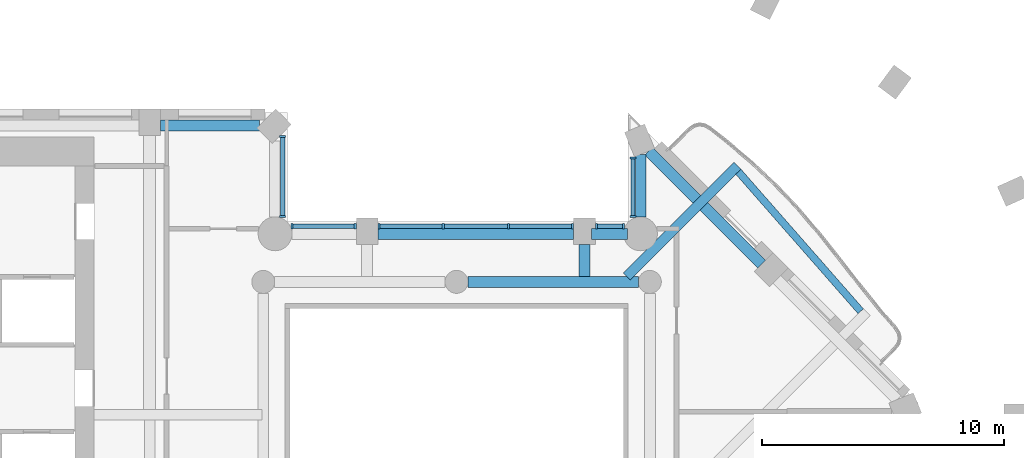
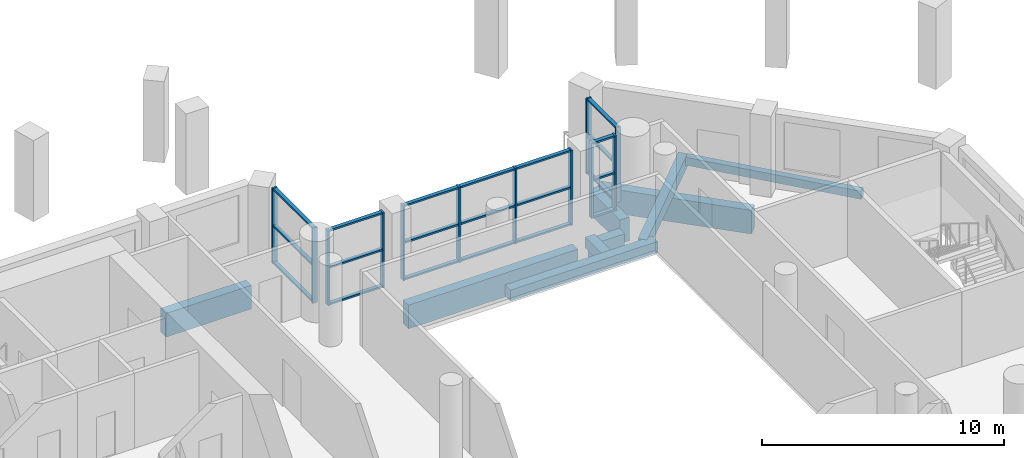
# One storey, part 2 of 14: 33 members, 9 beams, 5 elements without a shape of their own.
"""IFC4 building model written with IfcOpenShell, lengths in metres."""

from ifc_helpers import new_model, si_unit, direction, frame, origin, origin_2d, place, context, subcontext, project, spatial, rectangle, extrude, material, material_profile, profile_set, type_object, element, aggregate, save


model = new_model("IFC4")

# Units and contexts
model_context = context("Model", 3, precision=1e-05, world=origin(), true_north=direction((0.0, 1.0)))
body_context = subcontext(model_context, "Body", "Model", "MODEL_VIEW")
ifc_project = project(units=[si_unit("LENGTHUNIT", "METRE"), si_unit("AREAUNIT", "SQUARE_METRE"), si_unit("VOLUMEUNIT", "CUBIC_METRE"), si_unit("PLANEANGLEUNIT", "RADIAN"), si_unit("MASSUNIT", "GRAM", prefix="KILO")], contexts=[model_context])

# Site, building, storey
site_placement = place(None, origin())
site = spatial("IfcSite", under=ifc_project, at=site_placement, CompositionType="ELEMENT")
building_placement = place(site_placement, origin())
building = spatial("IfcBuilding", under=site, at=building_placement, Name="Cypress Arch Tower", CompositionType="ELEMENT")
storey_placement = place(building_placement, frame((0.0, 0.0, 185.10009765625)))
storey = spatial("IfcBuildingStorey", under=building, at=storey_placement, Name="L40", CompositionType="ELEMENT", Elevation=185.10009765625)

# Beams
ifc_material_1 = material(Name="Concrete C50/60", Category="concrete")
ifc_material_profile_1 = material_profile(ifc_material_1, rectangle(XDim=0.300048828125, YDim=0.39990234375, at=origin_2d()), Name="RC 300x400")
ifc_profile_set_1 = profile_set([ifc_material_profile_1], Name="Concrete C50/60")
beam_type_1 = type_object("IfcBeamType", Name="Balcony edge beam RC 300x400 Concrete C50/60", PredefinedType="BEAM", material=ifc_profile_set_1)
beam_1_placement = place(storey_placement, frame((17.72705078125, 8.78564453125, -0.5), z_axis=(-0.659406919269, 0.751786216168, 0.0), x_axis=(-0.751786216168, -0.659406919269, 0.0)))
element("IfcBeam", 1, at=beam_1_placement, inside=storey, type_object=beam_type_1, Name="Balcony edge beam L40 B05", PredefinedType="BEAM", context=body_context, shape_type="SweptSolid", body=[
    extrude(rectangle(XDim=0.300048828125, YDim=0.39990234375, at=origin_2d()), origin(), (0.0, 0.0, 1.0), 7.67724609375),
])
ifc_material_2 = material(Name="Concrete C50/60", Category="concrete")
ifc_material_profile_2 = material_profile(ifc_material_2, rectangle(XDim=0.39990234375, YDim=0.64990234375, at=origin_2d()), Name="RC 400x650")
ifc_profile_set_2 = profile_set([ifc_material_profile_2], Name="Concrete C50/60")
beam_type_2 = type_object("IfcBeamType", Name="Cantilever beam RC 400x650 Concrete C50/60", PredefinedType="BEAM", material=ifc_profile_set_2)
beam_2_placement = place(storey_placement, frame((8.04931640625, 10.22509765625, -0.625), z_axis=(0.707106781187, 0.707106781187, 0.0), x_axis=(-0.707106781187, 0.707106781187, 0.0)))
element("IfcBeam", 2, at=beam_2_placement, inside=storey, type_object=beam_type_2, Name="Cantilever beam L40 B05 2", PredefinedType="BEAM", context=body_context, shape_type="SweptSolid", body=[
    extrude(rectangle(XDim=0.39990234375, YDim=0.64990234375, at=origin_2d()), origin(), (0.0, 0.0, 1.0), 6.476806640625),
])
ifc_material_3 = material(Name="Concrete C50/60", Category="concrete")
ifc_material_profile_3 = material_profile(ifc_material_3, rectangle(XDim=0.449951171875, YDim=0.550048828125, at=origin_2d()), Name="RC 450x550")
ifc_profile_set_3 = profile_set([ifc_material_profile_3], Name="Concrete C50/60")
beam_type_3 = type_object("IfcBeamType", Name="Floor beam RC 450x550 Concrete C50/60", PredefinedType="BEAM", material=ifc_profile_set_3)
beam_3_placement = place(storey_placement, frame((1.47509765625, 10.0, -0.5751953125), z_axis=(1.0, 0.0, 0.0), x_axis=(0.0, 1.0, 0.0)))
element("IfcBeam", 3, at=beam_3_placement, inside=storey, type_object=beam_type_3, Name="Floor beam L40 RB008", PredefinedType="BEAM", context=body_context, shape_type="SweptSolid", body=[
    extrude(rectangle(XDim=0.449951171875, YDim=0.550048828125, at=origin_2d()), origin(), (0.0, 0.0, 1.0), 7.0498046875),
])
beam_4_placement = place(storey_placement, frame((6.300048828125, 10.22509765625, -0.5751953125), z_axis=(0.0, 1.0, 0.0), x_axis=(-1.0, 0.0, 0.0)))
element("IfcBeam", 4, at=beam_4_placement, inside=storey, type_object=beam_type_3, Name="Floor beam L40 FB017", PredefinedType="BEAM", context=body_context, shape_type="SweptSolid", body=[
    extrude(rectangle(XDim=0.449951171875, YDim=0.550048828125, at=origin_2d()), origin(), (0.0, 0.0, 1.0), 1.324951171875),
])

# Curtain wall, members
ifc_material_4 = material(Name="Anodised aluminium, bronze finish, clear laminated double glazing", Category="aluminium")
curtain_wall_type = type_object("IfcCurtainWallType", Name="Curtain wall CW7 slot glazing", PredefinedType="NOTDEFINED", material=ifc_material_4)
curtain_wall_1_placement = place(storey_placement, origin())
curtain_wall_1 = element("IfcCurtainWall", 5, at=curtain_wall_1_placement, inside=storey, type_object=curtain_wall_type, Name="Curtain wall L40 slot B06.0", PredefinedType="NOTDEFINED")
ifc_material_5 = material(Name="Anodised aluminium, bronze finish", Category="aluminium")
ifc_material_profile_4 = material_profile(ifc_material_5, rectangle(XDim=0.239990234375, YDim=0.0849609375, at=origin_2d()), Name="Mullion 85x240")
ifc_profile_set_4 = profile_set([ifc_material_profile_4], Name="Anodised aluminium, bronze finish")
member_type_1 = type_object("IfcMemberType", Name="Mullion CW7 85x240", PredefinedType="MULLION", material=ifc_profile_set_4)
member_1_placement = place(storey_placement, frame((8.300048828125, 15.12744140625, 0.0), z_axis=(0.0, 0.0, 1.0), x_axis=(1.0, 0.0, 0.0)))
member_1 = element("IfcMember", 6, at=member_1_placement, type_object=member_type_1, Name="CW7 mullion 1", PredefinedType="MULLION", context=body_context, shape_type="SweptSolid", body=[
    extrude(rectangle(XDim=0.239990234375, YDim=0.0849609375, at=origin_2d()), origin(), (0.0, 0.0, 1.0), 3.7998046875),
])
member_2_placement = place(storey_placement, frame((8.300048828125, 12.697021484375, 0.0), z_axis=(0.0, 0.0, 1.0), x_axis=(1.0, 0.0, 0.0)))
member_2 = element("IfcMember", 7, at=member_2_placement, type_object=member_type_1, Name="CW7 mullion 2", PredefinedType="MULLION", context=body_context, shape_type="SweptSolid", body=[
    extrude(rectangle(XDim=0.239990234375, YDim=0.0849609375, at=origin_2d()), origin(), (0.0, 0.0, 1.0), 3.7998046875),
])

curtain_wall_2_placement = place(storey_placement, origin())
curtain_wall_2 = element("IfcCurtainWall", 8, at=curtain_wall_2_placement, inside=storey, type_object=curtain_wall_type, Name="Curtain wall L40 slot B07.0", PredefinedType="NOTDEFINED")
member_3_placement = place(storey_placement, frame((7.903076171875, 12.300048828125, 0.0), z_axis=(0.0, 0.0, 1.0), x_axis=(0.0, -1.0, 0.0)))
member_3 = element("IfcMember", 9, at=member_3_placement, type_object=member_type_1, Name="CW7 mullion 1", PredefinedType="MULLION", context=body_context, shape_type="SweptSolid", body=[
    extrude(rectangle(XDim=0.239990234375, YDim=0.0849609375, at=origin_2d()), origin(), (0.0, 0.0, 1.0), 3.7998046875),
])
member_4_placement = place(storey_placement, frame((6.79248046875, 12.300048828125, 0.0), z_axis=(0.0, 0.0, 1.0), x_axis=(0.0, -1.0, 0.0)))
member_4 = element("IfcMember", 10, at=member_4_placement, type_object=member_type_1, Name="CW7 mullion 2", PredefinedType="MULLION", context=body_context, shape_type="SweptSolid", body=[
    extrude(rectangle(XDim=0.239990234375, YDim=0.0849609375, at=origin_2d()), origin(), (0.0, 0.0, 1.0), 3.7998046875),
])

curtain_wall_3_placement = place(storey_placement, origin())
curtain_wall_3 = element("IfcCurtainWall", 11, at=curtain_wall_3_placement, inside=storey, type_object=curtain_wall_type, Name="Curtain wall L40 slot B07.1", PredefinedType="NOTDEFINED")
member_5_placement = place(storey_placement, frame((5.8076171875, 12.300048828125, 0.0), z_axis=(0.0, 0.0, 1.0), x_axis=(0.0, -1.0, 0.0)))
member_5 = element("IfcMember", 12, at=member_5_placement, type_object=member_type_1, Name="CW7 mullion 1", PredefinedType="MULLION", context=body_context, shape_type="SweptSolid", body=[
    extrude(rectangle(XDim=0.239990234375, YDim=0.0849609375, at=origin_2d()), origin(), (0.0, 0.0, 1.0), 3.7998046875),
])
member_6_placement = place(storey_placement, frame((3.14990234375, 12.300048828125, 0.0), z_axis=(0.0, 0.0, 1.0), x_axis=(0.0, -1.0, 0.0)))
member_6 = element("IfcMember", 13, at=member_6_placement, type_object=member_type_1, Name="CW7 mullion 2", PredefinedType="MULLION", context=body_context, shape_type="SweptSolid", body=[
    extrude(rectangle(XDim=0.239990234375, YDim=0.0849609375, at=origin_2d()), origin(), (0.0, 0.0, 1.0), 3.7998046875),
])
member_7_placement = place(storey_placement, frame((0.449951171875, 12.300048828125, 0.0), z_axis=(0.0, 0.0, 1.0), x_axis=(0.0, -1.0, 0.0)))
member_7 = element("IfcMember", 14, at=member_7_placement, type_object=member_type_1, Name="CW7 mullion 3", PredefinedType="MULLION", context=body_context, shape_type="SweptSolid", body=[
    extrude(rectangle(XDim=0.239990234375, YDim=0.0849609375, at=origin_2d()), origin(), (0.0, 0.0, 1.0), 3.7998046875),
])
member_8_placement = place(storey_placement, frame((-2.20751953125, 12.300048828125, 0.0), z_axis=(0.0, 0.0, 1.0), x_axis=(0.0, -1.0, 0.0)))
member_8 = element("IfcMember", 15, at=member_8_placement, type_object=member_type_1, Name="CW7 mullion 4", PredefinedType="MULLION", context=body_context, shape_type="SweptSolid", body=[
    extrude(rectangle(XDim=0.239990234375, YDim=0.0849609375, at=origin_2d()), origin(), (0.0, 0.0, 1.0), 3.7998046875),
])

curtain_wall_4_placement = place(storey_placement, origin())
curtain_wall_4 = element("IfcCurtainWall", 16, at=curtain_wall_4_placement, inside=storey, type_object=curtain_wall_type, Name="Curtain wall L40 slot B07.2", PredefinedType="NOTDEFINED")
member_9_placement = place(storey_placement, frame((-3.1923828125, 12.300048828125, 0.0), z_axis=(0.0, 0.0, 1.0), x_axis=(0.0, -1.0, 0.0)))
member_9 = element("IfcMember", 17, at=member_9_placement, type_object=member_type_1, Name="CW7 mullion 1", PredefinedType="MULLION", context=body_context, shape_type="SweptSolid", body=[
    extrude(rectangle(XDim=0.239990234375, YDim=0.0849609375, at=origin_2d()), origin(), (0.0, 0.0, 1.0), 3.7998046875),
])
member_10_placement = place(storey_placement, frame((-5.802978515625, 12.300048828125, 0.0), z_axis=(0.0, 0.0, 1.0), x_axis=(0.0, -1.0, 0.0)))
member_10 = element("IfcMember", 18, at=member_10_placement, type_object=member_type_1, Name="CW7 mullion 2", PredefinedType="MULLION", context=body_context, shape_type="SweptSolid", body=[
    extrude(rectangle(XDim=0.239990234375, YDim=0.0849609375, at=origin_2d()), origin(), (0.0, 0.0, 1.0), 3.7998046875),
])

curtain_wall_5_placement = place(storey_placement, origin())
curtain_wall_5 = element("IfcCurtainWall", 19, at=curtain_wall_5_placement, inside=storey, type_object=curtain_wall_type, Name="Curtain wall L40 slot B08.0", PredefinedType="NOTDEFINED")
member_11_placement = place(storey_placement, frame((-6.199951171875, 12.697021484375, 0.0), z_axis=(0.0, 0.0, 1.0), x_axis=(-1.0, 0.0, 0.0)))
member_11 = element("IfcMember", 20, at=member_11_placement, type_object=member_type_1, Name="CW7 mullion 1", PredefinedType="MULLION", context=body_context, shape_type="SweptSolid", body=[
    extrude(rectangle(XDim=0.239990234375, YDim=0.0849609375, at=origin_2d()), origin(), (0.0, 0.0, 1.0), 3.7998046875),
])
member_12_placement = place(storey_placement, frame((-6.199951171875, 16.02099609375, 0.0), z_axis=(0.0, 0.0, 1.0), x_axis=(-1.0, 0.0, 0.0)))
member_12 = element("IfcMember", 21, at=member_12_placement, type_object=member_type_1, Name="CW7 mullion 2", PredefinedType="MULLION", context=body_context, shape_type="SweptSolid", body=[
    extrude(rectangle(XDim=0.239990234375, YDim=0.0849609375, at=origin_2d()), origin(), (0.0, 0.0, 1.0), 3.7998046875),
])

# Beams
ifc_material_6 = material(Name="Concrete C50/60", Category="concrete")
ifc_material_profile_5 = material_profile(ifc_material_6, rectangle(XDim=0.449951171875, YDim=1.199951171875, at=origin_2d()), Name="RC 450x1200")
ifc_profile_set_5 = profile_set([ifc_material_profile_5], Name="Concrete C50/60")
beam_type_4 = type_object("IfcBeamType", Name="Spandrel beam RC 450x1200 Concrete C50/60", PredefinedType="SPANDREL", material=ifc_profile_set_5)
beam_5_placement = place(storey_placement, frame((13.622802734375, 10.73486328125, -1.550048828125), z_axis=(-0.707106781187, 0.707106781187, 0.0), x_axis=(-0.707106781187, -0.707106781187, 0.0)))
element("IfcBeam", 22, at=beam_5_placement, inside=storey, type_object=beam_type_4, Name="Spandrel beam L40 BB05-1", PredefinedType="SPANDREL", context=body_context, shape_type="SweptSolid", body=[
    extrude(rectangle(XDim=0.449951171875, YDim=1.199951171875, at=origin_2d()), origin(), (0.0, 0.0, 1.0), 6.610595703125),
])
beam_6_placement = place(storey_placement, frame((8.625, 15.275146484375, -1.550048828125), z_axis=(0.0, -1.0, 0.0), x_axis=(1.0, 0.0, 0.0)))
element("IfcBeam", 23, at=beam_6_placement, inside=storey, type_object=beam_type_4, Name="Spandrel beam L40 BB06-0", PredefinedType="SPANDREL", context=body_context, shape_type="SweptSolid", body=[
    extrude(rectangle(XDim=0.449951171875, YDim=1.199951171875, at=origin_2d()), origin(), (0.0, 0.0, 1.0), 2.587646484375),
])
beam_7_placement = place(storey_placement, frame((8.081298828125, 11.97509765625, -1.550048828125), z_axis=(-1.0, 0.0, 0.0), x_axis=(0.0, -1.0, 0.0)))
element("IfcBeam", 24, at=beam_7_placement, inside=storey, type_object=beam_type_4, Name="Spandrel beam L40 BB07-0", PredefinedType="SPANDREL", context=body_context, shape_type="SweptSolid", body=[
    extrude(rectangle(XDim=0.449951171875, YDim=1.199951171875, at=origin_2d()), origin(), (0.0, 0.0, 1.0), 1.5),
])
beam_8_placement = place(storey_placement, frame((5.85009765625, 11.97509765625, -1.550048828125), z_axis=(-1.0, 0.0, 0.0), x_axis=(0.0, -1.0, 0.0)))
element("IfcBeam", 25, at=beam_8_placement, inside=storey, type_object=beam_type_4, Name="Spandrel beam L40 BB07-1", PredefinedType="SPANDREL", context=body_context, shape_type="SweptSolid", body=[
    extrude(rectangle(XDim=0.449951171875, YDim=1.199951171875, at=origin_2d()), origin(), (0.0, 0.0, 1.0), 8.10009765625),
])
beam_9_placement = place(storey_placement, frame((-7.161376953125, 16.47509765625, -1.550048828125), z_axis=(-1.0, 0.0, 0.0), x_axis=(0.0, -1.0, 0.0)))
element("IfcBeam", 26, at=beam_9_placement, inside=storey, type_object=beam_type_4, Name="Spandrel beam L40 BB09-0", PredefinedType="SPANDREL", context=body_context, shape_type="SweptSolid", body=[
    extrude(rectangle(XDim=0.449951171875, YDim=1.199951171875, at=origin_2d()), origin(), (0.0, 0.0, 1.0), 4.088623046875),
])

# Member
ifc_material_7 = material(Name="Anodised aluminium, bronze finish", Category="aluminium")
ifc_material_profile_6 = material_profile(ifc_material_7, rectangle(XDim=0.179931640625, YDim=0.0849609375, at=origin_2d()), Name="Transom 85x180")
ifc_profile_set_6 = profile_set([ifc_material_profile_6], Name="Anodised aluminium, bronze finish")
member_type_2 = type_object("IfcMemberType", Name="Transom CW7 85x180", PredefinedType="USERDEFINED", material=ifc_profile_set_6)
member_13_placement = place(storey_placement, frame((8.300048828125, 15.0849609375, 0.04248046875), z_axis=(0.0, -1.0, 0.0), x_axis=(1.0, 0.0, 0.0)))
member_13 = element("IfcMember", 27, at=member_13_placement, type_object=member_type_2, Name="CW7 transom 1.1", ObjectType="TRANSOM", PredefinedType="USERDEFINED", context=body_context, shape_type="SweptSolid", body=[
    extrude(rectangle(XDim=0.179931640625, YDim=0.0849609375, at=origin_2d()), origin(), (0.0, 0.0, 1.0), 2.345458984375),
])

member_14_placement = place(storey_placement, frame((8.300048828125, 15.0849609375, 1.89990234375), z_axis=(0.0, -1.0, 0.0), x_axis=(1.0, 0.0, 0.0)))
member_14 = element("IfcMember", 28, at=member_14_placement, type_object=member_type_2, Name="CW7 transom 1.2", ObjectType="TRANSOM", PredefinedType="USERDEFINED", context=body_context, shape_type="SweptSolid", body=[
    extrude(rectangle(XDim=0.179931640625, YDim=0.0849609375, at=origin_2d()), origin(), (0.0, 0.0, 1.0), 2.345458984375),
])

member_15_placement = place(storey_placement, frame((8.300048828125, 15.0849609375, 3.75732421875), z_axis=(0.0, -1.0, 0.0), x_axis=(1.0, 0.0, 0.0)))
member_15 = element("IfcMember", 29, at=member_15_placement, type_object=member_type_2, Name="CW7 transom 1.3", ObjectType="TRANSOM", PredefinedType="USERDEFINED", context=body_context, shape_type="SweptSolid", body=[
    extrude(rectangle(XDim=0.179931640625, YDim=0.0849609375, at=origin_2d()), origin(), (0.0, 0.0, 1.0), 2.345458984375),
])

aggregate(curtain_wall_1, [member_1, member_2, member_13, member_14, member_15])

member_16_placement = place(storey_placement, frame((7.8603515625, 12.300048828125, 0.04248046875), z_axis=(-1.0, 0.0, 0.0), x_axis=(0.0, -1.0, 0.0)))
member_16 = element("IfcMember", 30, at=member_16_placement, type_object=member_type_2, Name="CW7 transom 1.1", ObjectType="TRANSOM", PredefinedType="USERDEFINED", context=body_context, shape_type="SweptSolid", body=[
    extrude(rectangle(XDim=0.179931640625, YDim=0.0849609375, at=origin_2d()), origin(), (0.0, 0.0, 1.0), 1.025390625),
])

member_17_placement = place(storey_placement, frame((7.8603515625, 12.300048828125, 1.89990234375), z_axis=(-1.0, 0.0, 0.0), x_axis=(0.0, -1.0, 0.0)))
member_17 = element("IfcMember", 31, at=member_17_placement, type_object=member_type_2, Name="CW7 transom 1.2", ObjectType="TRANSOM", PredefinedType="USERDEFINED", context=body_context, shape_type="SweptSolid", body=[
    extrude(rectangle(XDim=0.179931640625, YDim=0.0849609375, at=origin_2d()), origin(), (0.0, 0.0, 1.0), 1.025390625),
])

member_18_placement = place(storey_placement, frame((7.8603515625, 12.300048828125, 3.75732421875), z_axis=(-1.0, 0.0, 0.0), x_axis=(0.0, -1.0, 0.0)))
member_18 = element("IfcMember", 32, at=member_18_placement, type_object=member_type_2, Name="CW7 transom 1.3", ObjectType="TRANSOM", PredefinedType="USERDEFINED", context=body_context, shape_type="SweptSolid", body=[
    extrude(rectangle(XDim=0.179931640625, YDim=0.0849609375, at=origin_2d()), origin(), (0.0, 0.0, 1.0), 1.025390625),
])

aggregate(curtain_wall_2, [member_3, member_4, member_16, member_17, member_18])

member_19_placement = place(storey_placement, frame((5.764892578125, 12.300048828125, 0.04248046875), z_axis=(-1.0, 0.0, 0.0), x_axis=(0.0, -1.0, 0.0)))
member_19 = element("IfcMember", 33, at=member_19_placement, type_object=member_type_2, Name="CW7 transom 1.1", ObjectType="TRANSOM", PredefinedType="USERDEFINED", context=body_context, shape_type="SweptSolid", body=[
    extrude(rectangle(XDim=0.179931640625, YDim=0.0849609375, at=origin_2d()), origin(), (0.0, 0.0, 1.0), 2.572509765625),
])

member_20_placement = place(storey_placement, frame((5.764892578125, 12.300048828125, 1.89990234375), z_axis=(-1.0, 0.0, 0.0), x_axis=(0.0, -1.0, 0.0)))
member_20 = element("IfcMember", 34, at=member_20_placement, type_object=member_type_2, Name="CW7 transom 1.2", ObjectType="TRANSOM", PredefinedType="USERDEFINED", context=body_context, shape_type="SweptSolid", body=[
    extrude(rectangle(XDim=0.179931640625, YDim=0.0849609375, at=origin_2d()), origin(), (0.0, 0.0, 1.0), 2.572509765625),
])

member_21_placement = place(storey_placement, frame((5.764892578125, 12.300048828125, 3.75732421875), z_axis=(-1.0, 0.0, 0.0), x_axis=(0.0, -1.0, 0.0)))
member_21 = element("IfcMember", 35, at=member_21_placement, type_object=member_type_2, Name="CW7 transom 1.3", ObjectType="TRANSOM", PredefinedType="USERDEFINED", context=body_context, shape_type="SweptSolid", body=[
    extrude(rectangle(XDim=0.179931640625, YDim=0.0849609375, at=origin_2d()), origin(), (0.0, 0.0, 1.0), 2.572509765625),
])

member_22_placement = place(storey_placement, frame((3.107421875, 12.300048828125, 0.04248046875), z_axis=(-1.0, 0.0, 0.0), x_axis=(0.0, -1.0, 0.0)))
member_22 = element("IfcMember", 36, at=member_22_placement, type_object=member_type_2, Name="CW7 transom 2.1", ObjectType="TRANSOM", PredefinedType="USERDEFINED", context=body_context, shape_type="SweptSolid", body=[
    extrude(rectangle(XDim=0.179931640625, YDim=0.0849609375, at=origin_2d()), origin(), (0.0, 0.0, 1.0), 2.614990234375),
])

member_23_placement = place(storey_placement, frame((3.107421875, 12.300048828125, 1.89990234375), z_axis=(-1.0, 0.0, 0.0), x_axis=(0.0, -1.0, 0.0)))
member_23 = element("IfcMember", 37, at=member_23_placement, type_object=member_type_2, Name="CW7 transom 2.2", ObjectType="TRANSOM", PredefinedType="USERDEFINED", context=body_context, shape_type="SweptSolid", body=[
    extrude(rectangle(XDim=0.179931640625, YDim=0.0849609375, at=origin_2d()), origin(), (0.0, 0.0, 1.0), 2.614990234375),
])

member_24_placement = place(storey_placement, frame((3.107421875, 12.300048828125, 3.75732421875), z_axis=(-1.0, 0.0, 0.0), x_axis=(0.0, -1.0, 0.0)))
member_24 = element("IfcMember", 38, at=member_24_placement, type_object=member_type_2, Name="CW7 transom 2.3", ObjectType="TRANSOM", PredefinedType="USERDEFINED", context=body_context, shape_type="SweptSolid", body=[
    extrude(rectangle(XDim=0.179931640625, YDim=0.0849609375, at=origin_2d()), origin(), (0.0, 0.0, 1.0), 2.614990234375),
])

member_25_placement = place(storey_placement, frame((0.407470703125, 12.300048828125, 0.04248046875), z_axis=(-1.0, 0.0, 0.0), x_axis=(0.0, -1.0, 0.0)))
member_25 = element("IfcMember", 39, at=member_25_placement, type_object=member_type_2, Name="CW7 transom 3.1", ObjectType="TRANSOM", PredefinedType="USERDEFINED", context=body_context, shape_type="SweptSolid", body=[
    extrude(rectangle(XDim=0.179931640625, YDim=0.0849609375, at=origin_2d()), origin(), (0.0, 0.0, 1.0), 2.572509765625),
])

member_26_placement = place(storey_placement, frame((0.407470703125, 12.300048828125, 1.89990234375), z_axis=(-1.0, 0.0, 0.0), x_axis=(0.0, -1.0, 0.0)))
member_26 = element("IfcMember", 40, at=member_26_placement, type_object=member_type_2, Name="CW7 transom 3.2", ObjectType="TRANSOM", PredefinedType="USERDEFINED", context=body_context, shape_type="SweptSolid", body=[
    extrude(rectangle(XDim=0.179931640625, YDim=0.0849609375, at=origin_2d()), origin(), (0.0, 0.0, 1.0), 2.572509765625),
])

member_27_placement = place(storey_placement, frame((0.407470703125, 12.300048828125, 3.75732421875), z_axis=(-1.0, 0.0, 0.0), x_axis=(0.0, -1.0, 0.0)))
member_27 = element("IfcMember", 41, at=member_27_placement, type_object=member_type_2, Name="CW7 transom 3.3", ObjectType="TRANSOM", PredefinedType="USERDEFINED", context=body_context, shape_type="SweptSolid", body=[
    extrude(rectangle(XDim=0.179931640625, YDim=0.0849609375, at=origin_2d()), origin(), (0.0, 0.0, 1.0), 2.572509765625),
])

aggregate(curtain_wall_3, [member_5, member_6, member_7, member_8, member_19, member_20, member_21, member_22, member_23, member_24, member_25, member_26, member_27])

member_28_placement = place(storey_placement, frame((-3.235107421875, 12.300048828125, 0.04248046875), z_axis=(-1.0, 0.0, 0.0), x_axis=(0.0, -1.0, 0.0)))
member_28 = element("IfcMember", 42, at=member_28_placement, type_object=member_type_2, Name="CW7 transom 1.1", ObjectType="TRANSOM", PredefinedType="USERDEFINED", context=body_context, shape_type="SweptSolid", body=[
    extrude(rectangle(XDim=0.179931640625, YDim=0.0849609375, at=origin_2d()), origin(), (0.0, 0.0, 1.0), 2.525390625),
])

member_29_placement = place(storey_placement, frame((-3.235107421875, 12.300048828125, 1.89990234375), z_axis=(-1.0, 0.0, 0.0), x_axis=(0.0, -1.0, 0.0)))
member_29 = element("IfcMember", 43, at=member_29_placement, type_object=member_type_2, Name="CW7 transom 1.2", ObjectType="TRANSOM", PredefinedType="USERDEFINED", context=body_context, shape_type="SweptSolid", body=[
    extrude(rectangle(XDim=0.179931640625, YDim=0.0849609375, at=origin_2d()), origin(), (0.0, 0.0, 1.0), 2.525390625),
])

member_30_placement = place(storey_placement, frame((-3.235107421875, 12.300048828125, 3.75732421875), z_axis=(-1.0, 0.0, 0.0), x_axis=(0.0, -1.0, 0.0)))
member_30 = element("IfcMember", 44, at=member_30_placement, type_object=member_type_2, Name="CW7 transom 1.3", ObjectType="TRANSOM", PredefinedType="USERDEFINED", context=body_context, shape_type="SweptSolid", body=[
    extrude(rectangle(XDim=0.179931640625, YDim=0.0849609375, at=origin_2d()), origin(), (0.0, 0.0, 1.0), 2.525390625),
])

aggregate(curtain_wall_4, [member_9, member_10, member_28, member_29, member_30])

member_31_placement = place(storey_placement, frame((-6.199951171875, 12.739501953125, 0.04248046875), z_axis=(0.0, 1.0, 0.0), x_axis=(-1.0, 0.0, 0.0)))
member_31 = element("IfcMember", 45, at=member_31_placement, type_object=member_type_2, Name="CW7 transom 1.1", ObjectType="TRANSOM", PredefinedType="USERDEFINED", context=body_context, shape_type="SweptSolid", body=[
    extrude(rectangle(XDim=0.179931640625, YDim=0.0849609375, at=origin_2d()), origin(), (0.0, 0.0, 1.0), 3.239013671875),
])

member_32_placement = place(storey_placement, frame((-6.199951171875, 12.739501953125, 1.89990234375), z_axis=(0.0, 1.0, 0.0), x_axis=(-1.0, 0.0, 0.0)))
member_32 = element("IfcMember", 46, at=member_32_placement, type_object=member_type_2, Name="CW7 transom 1.2", ObjectType="TRANSOM", PredefinedType="USERDEFINED", context=body_context, shape_type="SweptSolid", body=[
    extrude(rectangle(XDim=0.179931640625, YDim=0.0849609375, at=origin_2d()), origin(), (0.0, 0.0, 1.0), 3.239013671875),
])

member_33_placement = place(storey_placement, frame((-6.199951171875, 12.739501953125, 3.75732421875), z_axis=(0.0, 1.0, 0.0), x_axis=(-1.0, 0.0, 0.0)))
member_33 = element("IfcMember", 47, at=member_33_placement, type_object=member_type_2, Name="CW7 transom 1.3", ObjectType="TRANSOM", PredefinedType="USERDEFINED", context=body_context, shape_type="SweptSolid", body=[
    extrude(rectangle(XDim=0.179931640625, YDim=0.0849609375, at=origin_2d()), origin(), (0.0, 0.0, 1.0), 3.239013671875),
])

aggregate(curtain_wall_5, [member_11, member_12, member_31, member_32, member_33])

save(model, "model.ifc")
